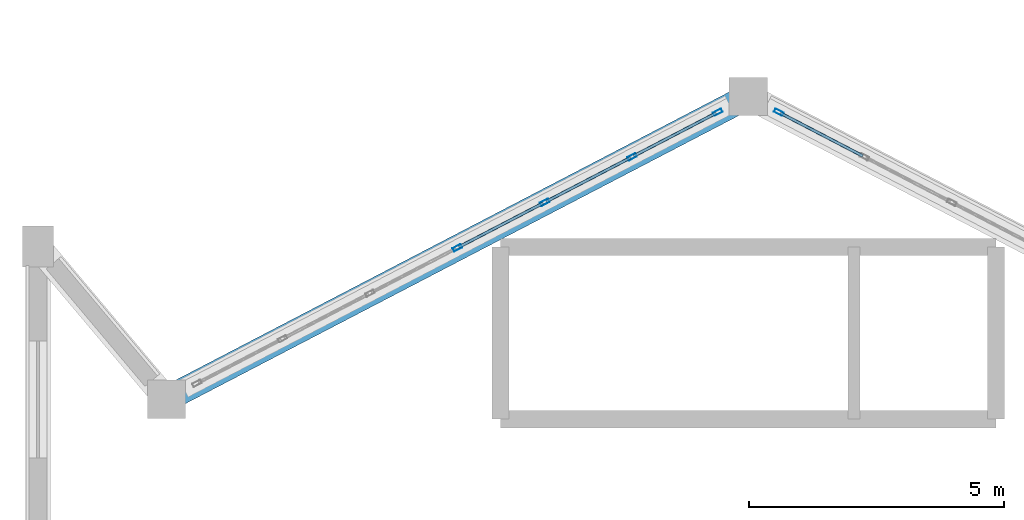
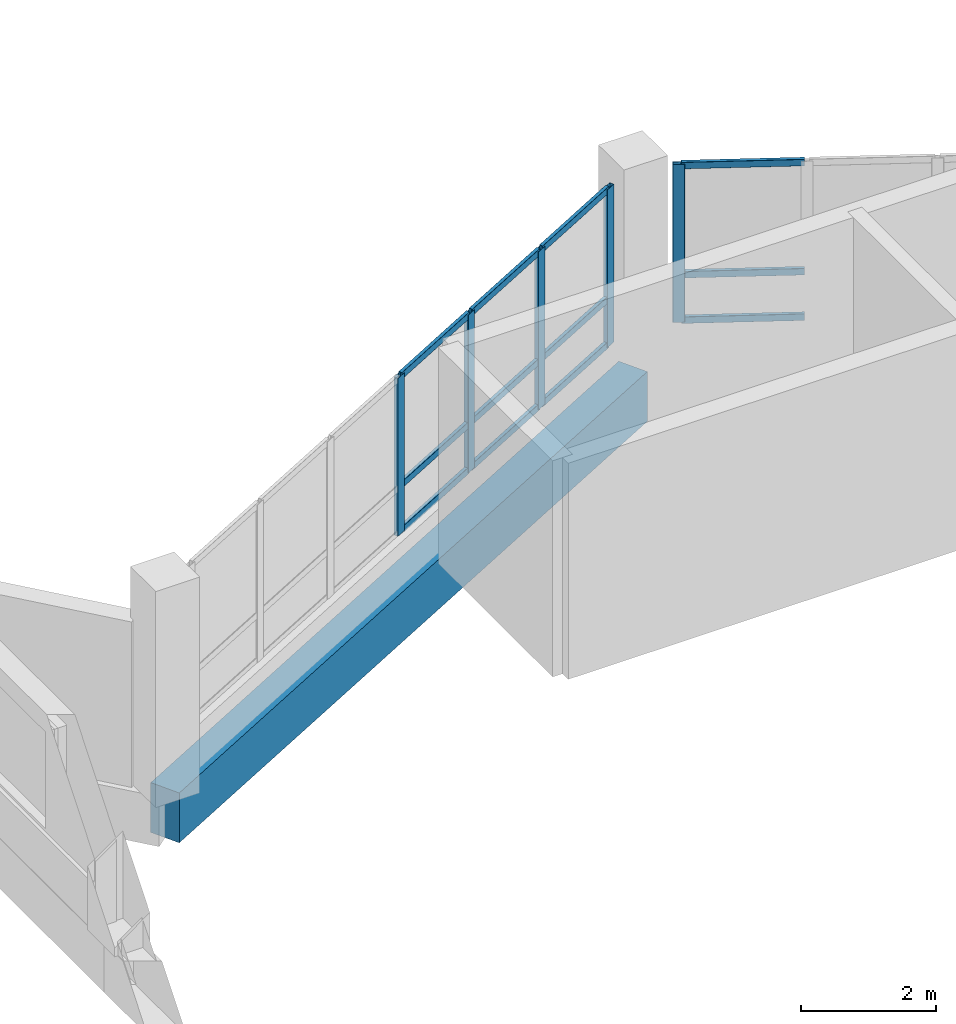
# One storey, part 15 of 121: 17 members, 1 beam, 2 elements without a shape of their own.
"""IFC4 building model written with IfcOpenShell, lengths in metres."""

from ifc_helpers import new_model, si_unit, direction, frame, origin, origin_2d, place, context, subcontext, project, spatial, rectangle, hollow_rectangle, extrude, material, layer, layer_set, material_profile, profile_set, type_object, element, aggregate, save


model = new_model("IFC4")

# Units and contexts
model_context = context("Model", 3, precision=1e-05, world=origin(), true_north=direction((0.0, 1.0)))
body_context = subcontext(model_context, "Body", "Model", "MODEL_VIEW")
ifc_project = project(units=[si_unit("LENGTHUNIT", "METRE"), si_unit("AREAUNIT", "SQUARE_METRE"), si_unit("VOLUMEUNIT", "CUBIC_METRE"), si_unit("PLANEANGLEUNIT", "RADIAN"), si_unit("MASSUNIT", "GRAM", prefix="KILO")], contexts=[model_context])

# Site, building, storey
site_placement = place(None, origin())
site = spatial("IfcSite", under=ifc_project, at=site_placement, CompositionType="ELEMENT")
building_placement = place(site_placement, origin())
building = spatial("IfcBuilding", under=site, at=building_placement, Name="Vespera Passage Community Centre", CompositionType="ELEMENT")
storey_placement = place(building_placement, frame((0.0, 0.0, 8.699951171875)))
storey = spatial("IfcBuildingStorey", under=building, at=storey_placement, Name="L02", CompositionType="ELEMENT", Elevation=8.699951171875)

# Beam
ifc_material_1 = material(Name="Concrete f'c 45 MPa", Category="concrete")
ifc_material_profile_1 = material_profile(ifc_material_1, rectangle(XDim=0.5, YDim=0.89990234375, at=origin_2d()), Name="RC500X900")
ifc_profile_set_1 = profile_set([ifc_material_profile_1], Name="Concrete f'c 45 MPa")
beam_type = type_object("IfcBeamType", Name="BM-SP-500X900E", PredefinedType="SPANDREL", material=ifc_profile_set_1)
beam_placement = place(storey_placement, frame((18.0, 51.949951171875, -0.449951171875), z_axis=(-0.887015966554, -0.461738751978, 0.0), x_axis=(0.461738751978, -0.887015966554, 0.0)))
element("IfcBeam", 1, at=beam_placement, inside=storey, type_object=beam_type, Name="V1 L02 N Apse Spandrel 3", PredefinedType="SPANDREL", context=body_context, shape_type="SweptSolid", body=[
    extrude(rectangle(XDim=0.5, YDim=0.89990234375, at=origin_2d()), origin(), (0.0, 0.0, 1.0), 12.8828125),
])

# Curtain wall, members
ifc_material_2 = material(Name="Anodized aluminium 6063-T6", Category="aluminium")
ifc_layer = layer(ifc_material_2, 0.159912109375)
ifc_layer_set = layer_set([ifc_layer], Name="Anodized aluminium 6063-T6")
curtain_wall_type = type_object("IfcCurtainWallType", Name="CW-87E", PredefinedType="NOTDEFINED", material=ifc_layer_set)
curtain_wall_1_placement = place(storey_placement, origin())
curtain_wall_1 = element("IfcCurtainWall", 2, at=curtain_wall_1_placement, inside=storey, type_object=curtain_wall_type, Name="V1 L02 N Apse Ribbon Curtain Wall 2", PredefinedType="NOTDEFINED")
ifc_material_3 = material(Name="Anodized aluminium 6063-T6", Category="aluminium")
ifc_material_profile_2 = material_profile(ifc_material_3, hollow_rectangle(XDim=0.074951171875, YDim=0.179931640625, WallThickness=0.0048828125, InnerFilletRadius=0.00244140625, OuterFilletRadius=0.0048828125, at=origin_2d()), Name="ALU180X75X5")
ifc_profile_set_2 = profile_set([ifc_material_profile_2], Name="Anodized aluminium 6063-T6")
member_type_1 = type_object("IfcMemberType", Name="MB-CWM-180E", PredefinedType="MULLION", material=ifc_profile_set_2)
member_1_placement = place(storey_placement, frame((12.286376953125, 48.9755859375, 0.800048828125), z_axis=(0.0, 0.0, 1.0), x_axis=(-0.46174493668, 0.887012747062, 0.0)))
member_1 = element("IfcMember", 3, at=member_1_placement, type_object=member_type_1, Name="CW-87E mullion 4", PredefinedType="MULLION", context=body_context, shape_type="SweptSolid", body=[
    extrude(hollow_rectangle(XDim=0.074951171875, YDim=0.179931640625, WallThickness=0.0048828125, InnerFilletRadius=0.00244140625, OuterFilletRadius=0.0048828125, at=origin_2d()), origin(), (0.0, 0.0, 1.0), 2.85009765625),
])
member_2_placement = place(storey_placement, frame((14.00244140625, 49.868896484375, 0.800048828125), z_axis=(0.0, 0.0, 1.0), x_axis=(-0.46174493668, 0.887012747062, 0.0)))
member_2 = element("IfcMember", 4, at=member_2_placement, type_object=member_type_1, Name="CW-87E mullion 5", PredefinedType="MULLION", context=body_context, shape_type="SweptSolid", body=[
    extrude(hollow_rectangle(XDim=0.074951171875, YDim=0.179931640625, WallThickness=0.0048828125, InnerFilletRadius=0.00244140625, OuterFilletRadius=0.0048828125, at=origin_2d()), origin(), (0.0, 0.0, 1.0), 2.85009765625),
])
member_3_placement = place(storey_placement, frame((15.71826171875, 50.76220703125, 0.800048828125), z_axis=(0.0, 0.0, 1.0), x_axis=(-0.46174493668, 0.887012747062, 0.0)))
member_3 = element("IfcMember", 5, at=member_3_placement, type_object=member_type_1, Name="CW-87E mullion 6", PredefinedType="MULLION", context=body_context, shape_type="SweptSolid", body=[
    extrude(hollow_rectangle(XDim=0.074951171875, YDim=0.179931640625, WallThickness=0.0048828125, InnerFilletRadius=0.00244140625, OuterFilletRadius=0.0048828125, at=origin_2d()), origin(), (0.0, 0.0, 1.0), 2.85009765625),
])
member_4_placement = place(storey_placement, frame((17.401123046875, 51.63818359375, 0.800048828125), z_axis=(0.0, 0.0, 1.0), x_axis=(-0.46174493668, 0.887012747062, 0.0)))
member_4 = element("IfcMember", 6, at=member_4_placement, type_object=member_type_1, Name="CW-87E mullion 7", PredefinedType="MULLION", context=body_context, shape_type="SweptSolid", body=[
    extrude(hollow_rectangle(XDim=0.074951171875, YDim=0.179931640625, WallThickness=0.0048828125, InnerFilletRadius=0.00244140625, OuterFilletRadius=0.0048828125, at=origin_2d()), origin(), (0.0, 0.0, 1.0), 2.85009765625),
])

# Curtain wall, member
curtain_wall_2_placement = place(storey_placement, origin())
curtain_wall_2 = element("IfcCurtainWall", 7, at=curtain_wall_2_placement, inside=storey, type_object=curtain_wall_type, Name="V1 L02 N Apse Ribbon Curtain Wall 3", PredefinedType="NOTDEFINED")
member_5_placement = place(storey_placement, frame((18.598876953125, 51.63818359375, 0.800048828125), z_axis=(0.0, 0.0, 1.0), x_axis=(0.46174493668, 0.887012747062, 0.0)))
member_5 = element("IfcMember", 8, at=member_5_placement, type_object=member_type_1, Name="CW-87E mullion 1", PredefinedType="MULLION", context=body_context, shape_type="SweptSolid", body=[
    extrude(hollow_rectangle(XDim=0.074951171875, YDim=0.179931640625, WallThickness=0.0048828125, InnerFilletRadius=0.00244140625, OuterFilletRadius=0.0048828125, at=origin_2d()), origin(), (0.0, 0.0, 1.0), 2.85009765625),
])

# Member
ifc_material_4 = material(Name="Anodized aluminium 6063-T6", Category="aluminium")
ifc_material_profile_3 = material_profile(ifc_material_4, hollow_rectangle(XDim=0.06005859375, YDim=0.1201171875, WallThickness=0.00390625, InnerFilletRadius=0.001953125, OuterFilletRadius=0.00390625, at=origin_2d()), Name="ALU120X60X4")
ifc_profile_set_3 = profile_set([ifc_material_profile_3], Name="Anodized aluminium 6063-T6")
member_type_2 = type_object("IfcMemberType", Name="MB-CWT-120E", PredefinedType="USERDEFINED", material=ifc_profile_set_3)
member_6_placement = place(storey_placement, frame((12.319580078125, 48.992919921875, 0.830078125), z_axis=(0.887008197889, 0.461753675544, 0.0), x_axis=(-0.461753675544, 0.887008197889, 0.0)))
member_6 = element("IfcMember", 9, at=member_6_placement, type_object=member_type_2, Name="CW-87E transom 4.1", ObjectType="TRANSOM", PredefinedType="USERDEFINED", context=body_context, shape_type="SweptSolid", body=[
    extrude(hollow_rectangle(XDim=0.06005859375, YDim=0.1201171875, WallThickness=0.00390625, InnerFilletRadius=0.001953125, OuterFilletRadius=0.00390625, at=origin_2d()), origin(), (0.0, 0.0, 1.0), 1.859619140625),
])

member_7_placement = place(storey_placement, frame((12.319580078125, 48.992919921875, 1.650146484375), z_axis=(0.887008197889, 0.461753675544, 0.0), x_axis=(-0.461753675544, 0.887008197889, 0.0)))
member_7 = element("IfcMember", 10, at=member_7_placement, type_object=member_type_2, Name="CW-87E transom 4.2", ObjectType="TRANSOM", PredefinedType="USERDEFINED", context=body_context, shape_type="SweptSolid", body=[
    extrude(hollow_rectangle(XDim=0.06005859375, YDim=0.1201171875, WallThickness=0.00390625, InnerFilletRadius=0.001953125, OuterFilletRadius=0.00390625, at=origin_2d()), origin(), (0.0, 0.0, 1.0), 1.859619140625),
])

member_8_placement = place(storey_placement, frame((12.319580078125, 48.992919921875, 3.6201171875), z_axis=(0.887008197889, 0.461753675544, 0.0), x_axis=(-0.461753675544, 0.887008197889, 0.0)))
member_8 = element("IfcMember", 11, at=member_8_placement, type_object=member_type_2, Name="CW-87E transom 4.3", ObjectType="TRANSOM", PredefinedType="USERDEFINED", context=body_context, shape_type="SweptSolid", body=[
    extrude(hollow_rectangle(XDim=0.06005859375, YDim=0.1201171875, WallThickness=0.00390625, InnerFilletRadius=0.001953125, OuterFilletRadius=0.00390625, at=origin_2d()), origin(), (0.0, 0.0, 1.0), 1.859619140625),
])

member_9_placement = place(storey_placement, frame((14.03564453125, 49.88623046875, 0.830078125), z_axis=(0.887008197889, 0.461753675544, 0.0), x_axis=(-0.461753675544, 0.887008197889, 0.0)))
member_9 = element("IfcMember", 12, at=member_9_placement, type_object=member_type_2, Name="CW-87E transom 5.1", ObjectType="TRANSOM", PredefinedType="USERDEFINED", context=body_context, shape_type="SweptSolid", body=[
    extrude(hollow_rectangle(XDim=0.06005859375, YDim=0.1201171875, WallThickness=0.00390625, InnerFilletRadius=0.001953125, OuterFilletRadius=0.00390625, at=origin_2d()), origin(), (0.0, 0.0, 1.0), 1.859619140625),
])

member_10_placement = place(storey_placement, frame((14.03564453125, 49.88623046875, 1.650146484375), z_axis=(0.887008197889, 0.461753675544, 0.0), x_axis=(-0.461753675544, 0.887008197889, 0.0)))
member_10 = element("IfcMember", 13, at=member_10_placement, type_object=member_type_2, Name="CW-87E transom 5.2", ObjectType="TRANSOM", PredefinedType="USERDEFINED", context=body_context, shape_type="SweptSolid", body=[
    extrude(hollow_rectangle(XDim=0.06005859375, YDim=0.1201171875, WallThickness=0.00390625, InnerFilletRadius=0.001953125, OuterFilletRadius=0.00390625, at=origin_2d()), origin(), (0.0, 0.0, 1.0), 1.859619140625),
])

member_11_placement = place(storey_placement, frame((14.03564453125, 49.88623046875, 3.6201171875), z_axis=(0.887008197889, 0.461753675544, 0.0), x_axis=(-0.461753675544, 0.887008197889, 0.0)))
member_11 = element("IfcMember", 14, at=member_11_placement, type_object=member_type_2, Name="CW-87E transom 5.3", ObjectType="TRANSOM", PredefinedType="USERDEFINED", context=body_context, shape_type="SweptSolid", body=[
    extrude(hollow_rectangle(XDim=0.06005859375, YDim=0.1201171875, WallThickness=0.00390625, InnerFilletRadius=0.001953125, OuterFilletRadius=0.00390625, at=origin_2d()), origin(), (0.0, 0.0, 1.0), 1.859619140625),
])

member_12_placement = place(storey_placement, frame((15.751708984375, 50.779541015625, 0.830078125), z_axis=(0.886990706074, 0.461787274986, 0.0), x_axis=(-0.461787274986, 0.886990706074, 0.0)))
member_12 = element("IfcMember", 15, at=member_12_placement, type_object=member_type_2, Name="CW-87E transom 6.1", ObjectType="TRANSOM", PredefinedType="USERDEFINED", context=body_context, shape_type="SweptSolid", body=[
    extrude(hollow_rectangle(XDim=0.06005859375, YDim=0.1201171875, WallThickness=0.00390625, InnerFilletRadius=0.001953125, OuterFilletRadius=0.00390625, at=origin_2d()), origin(), (0.0, 0.0, 1.0), 1.82177734375),
])

member_13_placement = place(storey_placement, frame((15.751708984375, 50.779541015625, 1.650146484375), z_axis=(0.886990706074, 0.461787274986, 0.0), x_axis=(-0.461787274986, 0.886990706074, 0.0)))
member_13 = element("IfcMember", 16, at=member_13_placement, type_object=member_type_2, Name="CW-87E transom 6.2", ObjectType="TRANSOM", PredefinedType="USERDEFINED", context=body_context, shape_type="SweptSolid", body=[
    extrude(hollow_rectangle(XDim=0.06005859375, YDim=0.1201171875, WallThickness=0.00390625, InnerFilletRadius=0.001953125, OuterFilletRadius=0.00390625, at=origin_2d()), origin(), (0.0, 0.0, 1.0), 1.82177734375),
])

member_14_placement = place(storey_placement, frame((15.751708984375, 50.779541015625, 3.6201171875), z_axis=(0.886990706074, 0.461787274986, 0.0), x_axis=(-0.461787274986, 0.886990706074, 0.0)))
member_14 = element("IfcMember", 17, at=member_14_placement, type_object=member_type_2, Name="CW-87E transom 6.3", ObjectType="TRANSOM", PredefinedType="USERDEFINED", context=body_context, shape_type="SweptSolid", body=[
    extrude(hollow_rectangle(XDim=0.06005859375, YDim=0.1201171875, WallThickness=0.00390625, InnerFilletRadius=0.001953125, OuterFilletRadius=0.00390625, at=origin_2d()), origin(), (0.0, 0.0, 1.0), 1.82177734375),
])

aggregate(curtain_wall_1, [member_1, member_2, member_3, member_4, member_6, member_7, member_8, member_9, member_10, member_11, member_12, member_13, member_14])

member_15_placement = place(storey_placement, frame((18.63232421875, 51.620849609375, 0.830078125), z_axis=(0.886990706074, -0.461787274986, 0.0), x_axis=(0.461787274986, 0.886990706074, 0.0)))
member_15 = element("IfcMember", 18, at=member_15_placement, type_object=member_type_2, Name="CW-87E transom 1.1", ObjectType="TRANSOM", PredefinedType="USERDEFINED", context=body_context, shape_type="SweptSolid", body=[
    extrude(hollow_rectangle(XDim=0.06005859375, YDim=0.1201171875, WallThickness=0.00390625, InnerFilletRadius=0.001953125, OuterFilletRadius=0.00390625, at=origin_2d()), origin(), (0.0, 0.0, 1.0), 1.82177734375),
])

member_16_placement = place(storey_placement, frame((18.63232421875, 51.620849609375, 1.650146484375), z_axis=(0.886990706074, -0.461787274986, 0.0), x_axis=(0.461787274986, 0.886990706074, 0.0)))
member_16 = element("IfcMember", 19, at=member_16_placement, type_object=member_type_2, Name="CW-87E transom 1.2", ObjectType="TRANSOM", PredefinedType="USERDEFINED", context=body_context, shape_type="SweptSolid", body=[
    extrude(hollow_rectangle(XDim=0.06005859375, YDim=0.1201171875, WallThickness=0.00390625, InnerFilletRadius=0.001953125, OuterFilletRadius=0.00390625, at=origin_2d()), origin(), (0.0, 0.0, 1.0), 1.82177734375),
])

member_17_placement = place(storey_placement, frame((18.63232421875, 51.620849609375, 3.6201171875), z_axis=(0.886990706074, -0.461787274986, 0.0), x_axis=(0.461787274986, 0.886990706074, 0.0)))
member_17 = element("IfcMember", 20, at=member_17_placement, type_object=member_type_2, Name="CW-87E transom 1.3", ObjectType="TRANSOM", PredefinedType="USERDEFINED", context=body_context, shape_type="SweptSolid", body=[
    extrude(hollow_rectangle(XDim=0.06005859375, YDim=0.1201171875, WallThickness=0.00390625, InnerFilletRadius=0.001953125, OuterFilletRadius=0.00390625, at=origin_2d()), origin(), (0.0, 0.0, 1.0), 1.82177734375),
])

aggregate(curtain_wall_2, [member_5, member_15, member_16, member_17])

save(model, "model.ifc")
